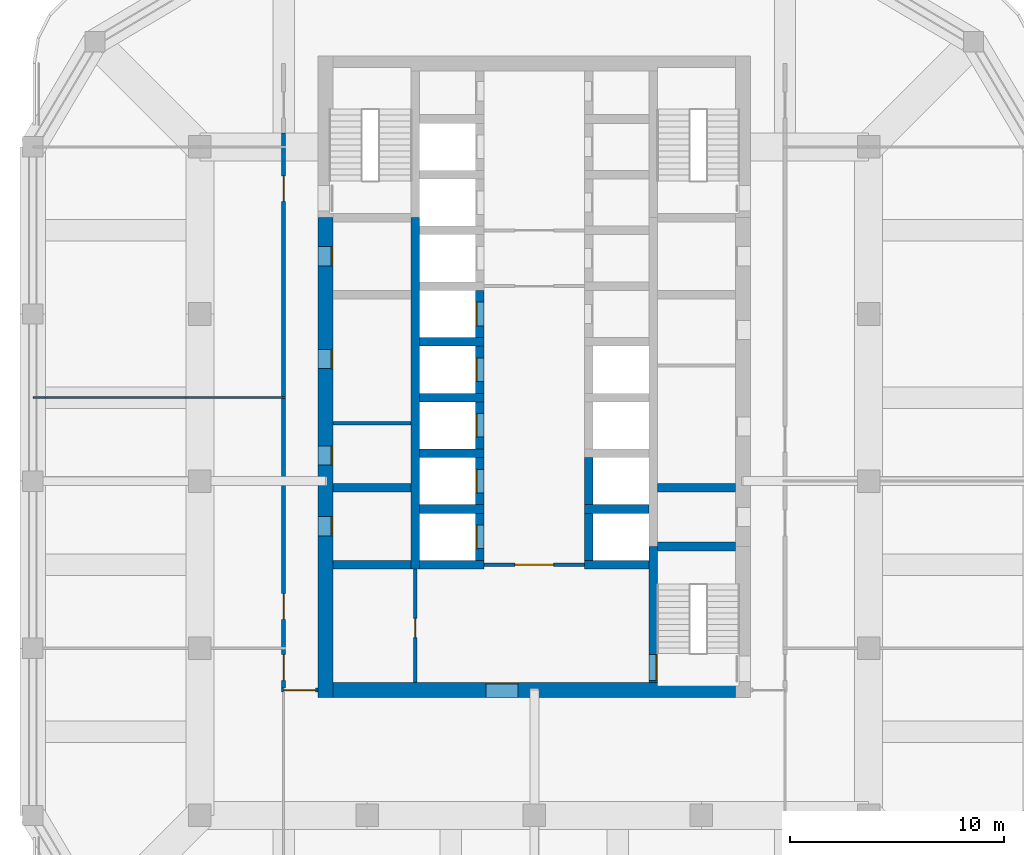
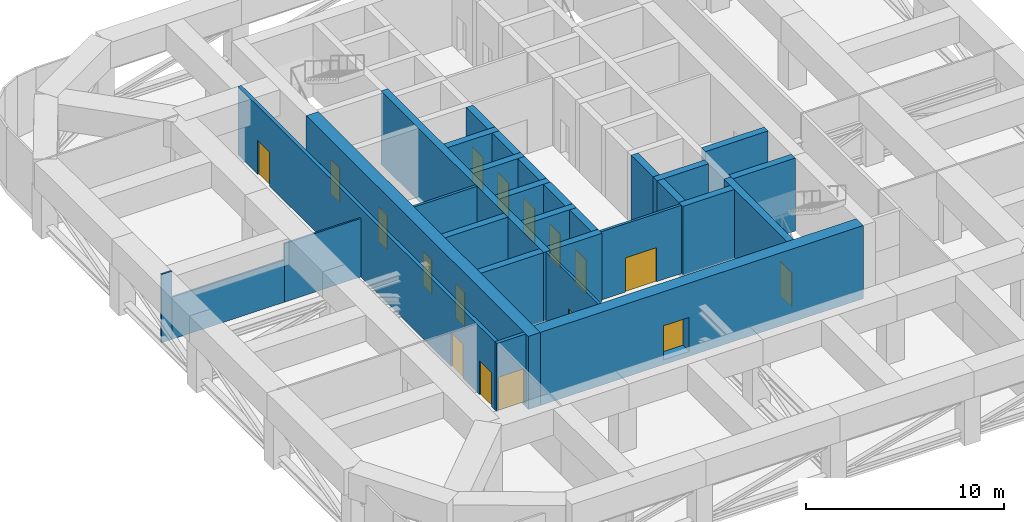
# One storey, part 3 of 9: 30 walls, 17 doors, 17 openings.
"""IFC4 building model written with IfcOpenShell, lengths in metres."""

import ifcopenshell
import ifcopenshell.guid

model = None  # the IFC model being written
_history = None  # IfcOwnerHistory: only IFC2X3 demands one
_inside = {}  # id of a spatial element -> (the spatial element, [elements in it])
_under = {}  # id of a project, library or spatial element -> (it, [spatial elements below it])
_declared = {}  # id of a project -> (the project, [libraries it declares])
_typed = {}  # id of a type object -> (the type object, [elements of that type])
_made_of = {}  # id of a material, layer set ... -> (it, [elements and type objects made of it])


def new_model(schema):
    """Start an empty IFC model of exactly this schema.

    Asked for "IFC4X3", IfcOpenShell would pick the latest addendum, in which some entities
    have other attributes; the version numbers below select the first issue.
    IFC2X3 requires an IfcOwnerHistory on every rooted entity: one is made here for all.
    """
    global model, _history
    if schema == "IFC4X3":
        model = ifcopenshell.file(schema_version=(4, 3, 0, 0))
    else:
        model = ifcopenshell.file(schema=schema)
    _inside.clear()
    _under.clear()
    _declared.clear()
    _typed.clear()
    _made_of.clear()
    _history = None
    if model.schema == "IFC2X3":
        org = make("IfcOrganization", Name="unknown")
        user = make(
            "IfcPersonAndOrganization",
            ThePerson=make("IfcPerson", FamilyName="unknown"),
            TheOrganization=org,
        )
        app = make(
            "IfcApplication",
            ApplicationDeveloper=org,
            Version="unknown",
            ApplicationFullName="unknown",
            ApplicationIdentifier="unknown",
        )
        _history = make(
            "IfcOwnerHistory",
            OwningUser=user,
            OwningApplication=app,
            ChangeAction="ADDED",
            CreationDate=0,
        )
    return model


def make(cls, **values):
    """One entity of the class cls with the attributes given. An attribute that is None is left unset."""
    return model.create_entity(
        cls, **{name: value for name, value in values.items() if value is not None}
    )


def rooted(cls, **values):
    """An entity with a GlobalId (a new one), such as an element, a storey or a relation."""
    return make(cls, GlobalId=ifcopenshell.guid.new(), OwnerHistory=_history, **values)


def si_unit(unit_type, name, prefix=None):
    """IfcSIUnit, for example si_unit("LENGTHUNIT", "METRE", prefix="MILLI")."""
    return make("IfcSIUnit", UnitType=unit_type, Prefix=prefix, Name=name)


def assignment(units):
    """IfcUnitAssignment: the units of a project."""
    return None if units is None else make("IfcUnitAssignment", Units=units)


def point(xyz):
    """IfcCartesianPoint."""
    return None if xyz is None else make("IfcCartesianPoint", Coordinates=xyz)


def direction(xyz):
    """IfcDirection."""
    return None if xyz is None else make("IfcDirection", DirectionRatios=xyz)


def frame(location, z_axis=None, x_axis=None):
    """IfcAxis2Placement3D, a coordinate frame: its origin and axes. An axis left out is left unset."""
    return make(
        "IfcAxis2Placement3D",
        Location=point(location),
        Axis=direction(z_axis),
        RefDirection=direction(x_axis),
    )


def frame_2d(location, x_axis=None):
    """IfcAxis2Placement2D, a coordinate frame in the plane: its origin and x axis."""
    return make(
        "IfcAxis2Placement2D", Location=point(location), RefDirection=direction(x_axis)
    )


def origin():
    """The frame at (0, 0, 0) with its axes left unset."""
    return frame((0.0, 0.0, 0.0))


def place(relative_to, where):
    """IfcLocalPlacement: puts the frame where relative to a parent placement (None: the world)."""
    return make(
        "IfcLocalPlacement", PlacementRelTo=relative_to, RelativePlacement=where
    )


def context(
    kind, dimensions, precision=None, world=None, true_north=None, identifier=None
):
    """IfcGeometricRepresentationContext, for example the 3D "Model" context."""
    return make(
        "IfcGeometricRepresentationContext",
        ContextIdentifier=identifier,
        ContextType=kind,
        CoordinateSpaceDimension=dimensions,
        Precision=precision,
        WorldCoordinateSystem=world,
        TrueNorth=true_north,
    )


def subcontext(parent, identifier, kind, view, scale=None):
    """IfcGeometricRepresentationSubContext, for example "Body" below "Model"."""
    return make(
        "IfcGeometricRepresentationSubContext",
        ContextIdentifier=identifier,
        ContextType=kind,
        ParentContext=parent,
        TargetScale=scale,
        TargetView=view,
    )


def project(units=None, contexts=None):
    """IfcProject with its units and contexts."""
    return rooted(
        "IfcProject",
        Name="project",
        RepresentationContexts=contexts,
        UnitsInContext=assignment(units),
    )


def spatial(cls, under=None, at=None, **own):
    """A site, building, storey or space (cls), placed at a placement, below another one or the project."""
    s = rooted(cls, ObjectPlacement=at, **own)
    if under is not None:
        _under.setdefault(under.id(), (under, []))[1].append(s)
    return s


def profile(cls, at=None, kind="AREA", **sizes):
    """A parametric profile (cls). Its sizes go by their IFC names, for example OverallWidth=200.0."""
    return make(cls, ProfileType=kind, Position=at, **sizes)


def rectangle(**sizes):
    """IfcRectangleProfileDef."""
    return profile("IfcRectangleProfileDef", **sizes)


def extrude(swept, where, along, depth):
    """IfcExtrudedAreaSolid: the profile swept, set in the frame where, extruded along a direction by depth."""
    return make(
        "IfcExtrudedAreaSolid",
        SweptArea=swept,
        Position=where,
        ExtrudedDirection=direction(along),
        Depth=depth,
    )


def shape(context_of_items, identifier, shape_type, items):
    """IfcShapeRepresentation: the items that make up one representation, for example the "Body"."""
    return make(
        "IfcShapeRepresentation",
        ContextOfItems=context_of_items,
        RepresentationIdentifier=identifier,
        RepresentationType=shape_type,
        Items=items,
    )


def material(Name=None, Category=None):
    """IfcMaterial."""
    return make("IfcMaterial", Name=Name, Category=Category)


def layer(
    of_material, thickness, ventilated=None, Name=None, Category=None, Priority=None
):
    """IfcMaterialLayer: one layer of a wall or slab, of a material (None: an air gap)."""
    return make(
        "IfcMaterialLayer",
        Material=of_material,
        LayerThickness=thickness,
        IsVentilated=ventilated,
        Name=Name,
        Category=Category,
        Priority=Priority,
    )


def layer_set(layers, Name=None):
    """IfcMaterialLayerSet."""
    return make("IfcMaterialLayerSet", MaterialLayers=layers, LayerSetName=Name)


def made_of(thing, what):
    """Note that an element or type object is made of a material, layer set ...; save() writes the relation."""
    if what is not None:
        _made_of.setdefault(what.id(), (what, []))[1].append(thing)
    return thing


def type_object(cls, material=None, **own):
    """A type object (cls), such as IfcWallType, which elements share."""
    return made_of(rooted(cls, **own), material)


def element(
    cls,
    number,
    at=None,
    inside=None,
    cuts=None,
    type_object=None,
    material=None,
    context=None,
    identifier="Body",
    shape_type=None,
    held_by="IfcProductDefinitionShape",
    body=None,
    shapes=None,
    **own,
):
    """One element of the class cls, such as IfcWall. Its Tag is "e" and its number.

    at: its placement. inside: the storey or other place that contains it. cuts: it is an
    opening in that element (IfcRelVoidsElement). A single representation is given by context,
    identifier, shape_type and body (its items); several are given by shapes. held_by: the class
    of the entity that holds the representations. save() writes the other relations.
    """
    e = rooted(cls, Tag="e%d" % number, ObjectPlacement=at, **own)
    if body is not None:
        shapes = [shape(context, identifier, shape_type, body)]
    if shapes is not None:
        e.Representation = make(held_by, Representations=shapes)
    if inside is not None:
        _inside.setdefault(inside.id(), (inside, []))[1].append(e)
    if cuts is not None:
        rooted(
            "IfcRelVoidsElement", RelatingBuildingElement=cuts, RelatedOpeningElement=e
        )
    if type_object is not None:
        _typed.setdefault(type_object.id(), (type_object, []))[1].append(e)
    return made_of(e, material)


def fill(opening, filler):
    """IfcRelFillsElement: the door or window that sits in an opening."""
    return rooted(
        "IfcRelFillsElement",
        RelatingOpeningElement=opening,
        RelatedBuildingElement=filler,
    )


def aggregate(whole, parts):
    """IfcRelAggregates: a whole, such as a stair, and the parts it consists of."""
    return rooted("IfcRelAggregates", RelatingObject=whole, RelatedObjects=parts)


def save(model, path):
    """Write the relations noted so far, then the file.

    IfcRelAggregates (storeys below a building ...), IfcRelContainedInSpatialStructure (elements
    in a storey), IfcRelDefinesByType, IfcRelAssociatesMaterial and IfcRelDeclares: one each for
    every whole, place, type object, material and project.
    """
    for whole, parts in _under.values():
        aggregate(whole, parts)
    for where, things in _inside.values():
        rooted(
            "IfcRelContainedInSpatialStructure",
            RelatedElements=things,
            RelatingStructure=where,
        )
    for kind, things in _typed.values():
        rooted("IfcRelDefinesByType", RelatedObjects=things, RelatingType=kind)
    for what, things in _made_of.values():
        rooted("IfcRelAssociatesMaterial", RelatedObjects=things, RelatingMaterial=what)
    for by, libraries in _declared.values():
        rooted("IfcRelDeclares", RelatingContext=by, RelatedDefinitions=libraries)
    model.write(path)


model = new_model("IFC4")

# Units and contexts
model_context = context("Model", 3, precision=1e-05, world=origin(), true_north=direction((0.0, 1.0)))
body_context = subcontext(model_context, "Body", "Model", "MODEL_VIEW")
ifc_project = project(units=[si_unit("LENGTHUNIT", "METRE"), si_unit("AREAUNIT", "SQUARE_METRE"), si_unit("VOLUMEUNIT", "CUBIC_METRE"), si_unit("PLANEANGLEUNIT", "RADIAN"), si_unit("MASSUNIT", "GRAM", prefix="KILO")], contexts=[model_context])

# Site, building, storey
site_placement = place(None, origin())
site = spatial("IfcSite", under=ifc_project, at=site_placement, CompositionType="ELEMENT")
building_placement = place(site_placement, origin())
building = spatial("IfcBuilding", under=site, at=building_placement, Name="Ludao Terraces", CompositionType="ELEMENT")
storey_placement = place(building_placement, frame((0.0, 0.0, 95.39990234375)))
storey = spatial("IfcBuildingStorey", under=building, at=storey_placement, Name="L26", CompositionType="ELEMENT", Elevation=95.39990234375)

# Wall, openings, doors
ifc_material_1 = material(Name="Concrete C70", Category="concrete")
ifc_layer_1 = layer(ifc_material_1, 0.699951171875)
ifc_layer_set_1 = layer_set([ifc_layer_1], Name="Core wall 700 C70")
wall_type_1 = type_object("IfcWallType", Name="Core wall 700 C70", PredefinedType="SOLIDWALL", material=ifc_layer_set_1)
wall_1_placement = place(storey_placement, frame((75.25, 54.89990234375, -0.2998046875), z_axis=(0.0, 0.0, 1.0), x_axis=(0.0, 1.0, 0.0)))
wall_1 = element("IfcWall", 1, at=wall_1_placement, inside=storey, type_object=wall_type_1, Name="Core wall L26 outer-W", PredefinedType="SOLIDWALL", context=body_context, shape_type="SweptSolid", body=[
    extrude(rectangle(XDim=22.400146484375, YDim=0.699951171875, at=frame_2d((11.2001953125, 0.0))), origin(), (0.0, 0.0, 1.0), 4.5),
])
opening_1_placement = place(wall_1_placement, frame((7.550048828125, 0.0, 0.300048828125)))
opening_1 = element("IfcOpeningElement", 2, at=opening_1_placement, cuts=wall_1, Name="Opening L26-012", PredefinedType="OPENING", context=body_context, shape_type="SweptSolid", body=[
    extrude(rectangle(XDim=0.89990234375, YDim=2.10009765625, at=frame_2d((0.449951171875, 1.050048828125))), frame((0.0, 0.35986328125, 0.0), z_axis=(0.0, -1.0, 0.0), x_axis=(1.0, 0.0, 0.0)), (0.0, 0.0, 1.0), 0.719970703125),
])
opening_2_placement = place(wall_1_placement, frame((10.85009765625, 0.0, 0.300048828125)))
opening_2 = element("IfcOpeningElement", 3, at=opening_2_placement, cuts=wall_1, Name="Opening L26-016", PredefinedType="OPENING", context=body_context, shape_type="SweptSolid", body=[
    extrude(rectangle(XDim=0.89990234375, YDim=2.10009765625, at=frame_2d((0.449951171875, 1.050048828125))), frame((0.0, 0.35986328125, 0.0), z_axis=(0.0, -1.0, 0.0), x_axis=(1.0, 0.0, 0.0)), (0.0, 0.0, 1.0), 0.719970703125),
])
opening_3_placement = place(wall_1_placement, frame((15.35009765625, 0.0, 0.300048828125)))
opening_3 = element("IfcOpeningElement", 4, at=opening_3_placement, cuts=wall_1, Name="Opening L26-021", PredefinedType="OPENING", context=body_context, shape_type="SweptSolid", body=[
    extrude(rectangle(XDim=0.89990234375, YDim=2.10009765625, at=frame_2d((0.449951171875, 1.050048828125))), frame((0.0, 0.35986328125, 0.0), z_axis=(0.0, -1.0, 0.0), x_axis=(1.0, 0.0, 0.0)), (0.0, 0.0, 1.0), 0.719970703125),
])
opening_4_placement = place(wall_1_placement, frame((20.14990234375, 0.0, 0.300048828125)))
opening_4 = element("IfcOpeningElement", 5, at=opening_4_placement, cuts=wall_1, Name="Opening L26-028", PredefinedType="OPENING", context=body_context, shape_type="SweptSolid", body=[
    extrude(rectangle(XDim=0.89990234375, YDim=2.10009765625, at=frame_2d((0.449951171875, 1.050048828125))), frame((0.0, 0.35986328125, 0.0), z_axis=(0.0, -1.0, 0.0), x_axis=(1.0, 0.0, 0.0)), (0.0, 0.0, 1.0), 0.719970703125),
])
ifc_material_2 = material(Name="Steel Q235", Category="steel")
door_type_1 = type_object("IfcDoorType", Name="INT Riser door 900", OperationType="SINGLE_SWING_LEFT", PredefinedType="DOOR", material=ifc_material_2)
door_1_placement = place(opening_1_placement, origin())
door_1 = element("IfcDoor", 6, at=door_1_placement, inside=storey, type_object=door_type_1, Name="DOOR 012", OperationType="SINGLE_SWING_LEFT", OverallHeight=2.10009765625, OverallWidth=0.89990234375, PredefinedType="DOOR", context=body_context, shape_type="SweptSolid", body=[
    extrude(rectangle(XDim=0.89990234375, YDim=2.10009765625, at=frame_2d((0.449951171875, 1.050048828125))), frame((0.0, -0.28515625, 0.0), z_axis=(0.0, -1.0, 0.0), x_axis=(1.0, 0.0, 0.0)), (0.0, 0.0, 1.0), 0.050048828125),
])
fill(opening_1, door_1)
door_2_placement = place(opening_4_placement, origin())
door_2 = element("IfcDoor", 7, at=door_2_placement, inside=storey, type_object=door_type_1, Name="DOOR 028", OperationType="SINGLE_SWING_RIGHT", OverallHeight=2.10009765625, OverallWidth=0.89990234375, PredefinedType="DOOR", context=body_context, shape_type="SweptSolid", body=[
    extrude(rectangle(XDim=0.89990234375, YDim=2.10009765625, at=frame_2d((0.449951171875, 1.050048828125))), frame((0.0, -0.28515625, 0.0), z_axis=(0.0, -1.0, 0.0), x_axis=(1.0, 0.0, 0.0)), (0.0, 0.0, 1.0), 0.050048828125),
])
fill(opening_4, door_2)
ifc_material_3 = material(Name="Timber door leaf", Category="wood")
door_type_2 = type_object("IfcDoorType", Name="INT Room door 900", OperationType="SINGLE_SWING_LEFT", PredefinedType="DOOR", material=ifc_material_3)
door_3_placement = place(opening_2_placement, origin())
door_3 = element("IfcDoor", 8, at=door_3_placement, inside=storey, type_object=door_type_2, Name="DOOR 016", OperationType="SINGLE_SWING_RIGHT", OverallHeight=2.10009765625, OverallWidth=0.89990234375, PredefinedType="DOOR", context=body_context, shape_type="SweptSolid", body=[
    extrude(rectangle(XDim=0.89990234375, YDim=2.10009765625, at=frame_2d((0.449951171875, 1.050048828125))), frame((0.0, -0.28515625, 0.0), z_axis=(0.0, -1.0, 0.0), x_axis=(1.0, 0.0, 0.0)), (0.0, 0.0, 1.0), 0.050048828125),
])
fill(opening_2, door_3)
door_4_placement = place(opening_3_placement, origin())
door_4 = element("IfcDoor", 9, at=door_4_placement, inside=storey, type_object=door_type_2, Name="DOOR 021", OperationType="SINGLE_SWING_LEFT", OverallHeight=2.10009765625, OverallWidth=0.89990234375, PredefinedType="DOOR", context=body_context, shape_type="SweptSolid", body=[
    extrude(rectangle(XDim=0.89990234375, YDim=2.10009765625, at=frame_2d((0.449951171875, 1.050048828125))), frame((0.0, -0.28515625, 0.0), z_axis=(0.0, -1.0, 0.0), x_axis=(1.0, 0.0, 0.0)), (0.0, 0.0, 1.0), 0.050048828125),
])
fill(opening_3, door_4)

# Wall, opening, door
wall_2_placement = place(storey_placement, frame((75.60009765625, 55.25, -0.2998046875), z_axis=(0.0, 0.0, 1.0), x_axis=(1.0, 0.0, 0.0)))
wall_2 = element("IfcWall", 10, at=wall_2_placement, inside=storey, type_object=wall_type_1, Name="Core wall L26 outer-S", PredefinedType="SOLIDWALL", context=body_context, shape_type="SweptSolid", body=[
    extrude(rectangle(XDim=18.7998046875, YDim=0.699951171875, at=frame_2d((9.39990234375, 0.0))), origin(), (0.0, 0.0, 1.0), 4.5),
])
opening_5_placement = place(wall_2_placement, frame((7.14990234375, 0.0, 0.300048828125)))
opening_5 = element("IfcOpeningElement", 11, at=opening_5_placement, cuts=wall_2, Name="Opening L26-002", PredefinedType="OPENING", context=body_context, shape_type="SweptSolid", body=[
    extrude(rectangle(XDim=1.5, YDim=2.10009765625, at=frame_2d((0.75, 1.050048828125))), frame((0.0, 0.35986328125, 0.0), z_axis=(0.0, -1.0, 0.0), x_axis=(1.0, 0.0, 0.0)), (0.0, 0.0, 1.0), 0.719970703125),
])
door_type_3 = type_object("IfcDoorType", Name="INT Lobby door 1500", OperationType="DOUBLE_DOOR_SINGLE_SWING", PredefinedType="DOOR", material=ifc_material_2)
door_5_placement = place(opening_5_placement, origin())
door_5 = element("IfcDoor", 12, at=door_5_placement, inside=storey, type_object=door_type_3, Name="DOOR 002", OperationType="DOUBLE_DOOR_SINGLE_SWING", OverallHeight=2.10009765625, OverallWidth=1.5, PredefinedType="DOOR", context=body_context, shape_type="SweptSolid", body=[
    extrude(rectangle(XDim=1.5, YDim=2.10009765625, at=frame_2d((0.75, 1.050048828125))), frame((0.0, 0.3349609375, 0.0), z_axis=(0.0, -1.0, 0.0), x_axis=(1.0, 0.0, 0.0)), (0.0, 0.0, 1.0), 0.050048828125),
])
fill(opening_5, door_5)

ifc_material_4 = material(Name="Fire-rated gypsum plasterboard", Category="gypsum")
ifc_layer_2 = layer(ifc_material_4, 0.012451171875, Category="gypsum")
ifc_material_5 = material(Name="Mineral wool")
ifc_layer_3 = layer(ifc_material_5, 0.10009765625, Name="insulation")
ifc_layer_4 = layer(ifc_material_2, 0.02490234375, Name="stud")
ifc_layer_5 = layer(ifc_material_4, 0.012451171875, Category="gypsum")
ifc_layer_set_2 = layer_set([ifc_layer_2, ifc_layer_3, ifc_layer_4, ifc_layer_5], Name="INT Core partition 150")
wall_type_2 = type_object("IfcWallType", Name="INT Core partition 150", PredefinedType="PARTITIONING", material=ifc_layer_set_2)
wall_3_placement = place(storey_placement, frame((82.650146484375, 61.10009765625, 0.0), z_axis=(0.0, 0.0, 1.0), x_axis=(1.0, 0.0, 0.0)))
wall_3 = element("IfcWall", 13, at=wall_3_placement, inside=storey, type_object=wall_type_2, Name="PW-L26-PW004", PredefinedType="PARTITIONING", context=body_context, shape_type="SweptSolid", body=[
    extrude(rectangle(XDim=4.699951171875, YDim=0.14990234375, at=frame_2d((2.35009765625, 0.0))), origin(), (0.0, 0.0, 1.0), 4.2001953125),
])
opening_6_placement = place(wall_3_placement, frame((1.449951171875, 0.0, 0.0)))
opening_6 = element("IfcOpeningElement", 14, at=opening_6_placement, cuts=wall_3, Name="Opening L26-010", PredefinedType="OPENING", context=body_context, shape_type="SweptSolid", body=[
    extrude(rectangle(XDim=1.800048828125, YDim=2.10009765625, at=frame_2d((0.89990234375, 1.050048828125))), frame((0.0, 0.0849609375, 0.0), z_axis=(0.0, -1.0, 0.0), x_axis=(1.0, 0.0, 0.0)), (0.0, 0.0, 1.0), 0.169921875),
])
door_type_4 = type_object("IfcDoorType", Name="INT Fire lobby door 1800", OperationType="DOUBLE_DOOR_SINGLE_SWING", PredefinedType="DOOR", material=ifc_material_2)
door_6_placement = place(opening_6_placement, origin())
door_6 = element("IfcDoor", 15, at=door_6_placement, inside=storey, type_object=door_type_4, Name="DOOR 010", OperationType="DOUBLE_DOOR_SINGLE_SWING", OverallHeight=2.10009765625, OverallWidth=1.800048828125, PredefinedType="DOOR", context=body_context, shape_type="SweptSolid", body=[
    extrude(rectangle(XDim=1.800048828125, YDim=2.10009765625, at=frame_2d((0.89990234375, 1.050048828125))), frame((0.0, 0.02490234375, 0.0), z_axis=(0.0, -1.0, 0.0), x_axis=(1.0, 0.0, 0.0)), (0.0, 0.0, 1.0), 0.050048828125),
])
fill(opening_6, door_6)

# Wall
wall_4_placement = place(storey_placement, frame((75.60009765625, 67.699951171875, 0.0), z_axis=(0.0, 0.0, 1.0), x_axis=(1.0, 0.0, 0.0)))
element("IfcWall", 16, at=wall_4_placement, inside=storey, type_object=wall_type_2, Name="PW-L26-PW006", PredefinedType="PARTITIONING", context=body_context, shape_type="SweptSolid", body=[
    extrude(rectangle(XDim=3.64990234375, YDim=0.14990234375, at=frame_2d((1.824951171875, 0.0))), origin(), (0.0, 0.0, 1.0), 4.2001953125),
])

# Wall, opening, door
wall_5_placement = place(storey_placement, frame((79.449951171875, 55.60009765625, 0.0), z_axis=(0.0, 0.0, 1.0), x_axis=(0.0, 1.0, 0.0)))
wall_5 = element("IfcWall", 17, at=wall_5_placement, inside=storey, type_object=wall_type_2, Name="PW-L26-PW015", PredefinedType="PARTITIONING", context=body_context, shape_type="SweptSolid", body=[
    extrude(rectangle(XDim=5.300048828125, YDim=0.14990234375, at=frame_2d((2.64990234375, 0.0))), origin(), (0.0, 0.0, 1.0), 4.2001953125),
])
opening_7_placement = place(wall_5_placement, frame((2.10009765625, 0.0, 0.0)))
opening_7 = element("IfcOpeningElement", 18, at=opening_7_placement, cuts=wall_5, Name="Opening L26-008", PredefinedType="OPENING", context=body_context, shape_type="SweptSolid", body=[
    extrude(rectangle(XDim=0.89990234375, YDim=2.10009765625, at=frame_2d((0.449951171875, 1.050048828125))), frame((0.0, 0.0849609375, 0.0), z_axis=(0.0, -1.0, 0.0), x_axis=(1.0, 0.0, 0.0)), (0.0, 0.0, 1.0), 0.169921875),
])
door_7_placement = place(opening_7_placement, origin())
door_7 = element("IfcDoor", 19, at=door_7_placement, inside=storey, type_object=door_type_2, Name="DOOR 008", OperationType="SINGLE_SWING_LEFT", OverallHeight=2.10009765625, OverallWidth=0.89990234375, PredefinedType="DOOR", context=body_context, shape_type="SweptSolid", body=[
    extrude(rectangle(XDim=0.89990234375, YDim=2.10009765625, at=frame_2d((0.449951171875, 1.050048828125))), frame((0.0, 0.02490234375, 0.0), z_axis=(0.0, -1.0, 0.0), x_axis=(1.0, 0.0, 0.0)), (0.0, 0.0, 1.0), 0.050048828125),
])
fill(opening_7, door_7)

ifc_material_6 = material(Name="Autoclaved aerated concrete block B06 A3.5", Category="concrete")
ifc_layer_6 = layer(ifc_material_6, 0.199951171875)
ifc_layer_set_3 = layer_set([ifc_layer_6], Name="INT Entrance wall 200")
wall_type_3 = type_object("IfcWallType", Name="INT Entrance wall 200", PredefinedType="PARTITIONING", material=ifc_layer_set_3)
wall_6_placement = place(storey_placement, frame((73.2001953125, 55.25, 0.0), z_axis=(0.0, 0.0, 1.0), x_axis=(1.0, 0.0, 0.0)))
wall_6 = element("IfcWall", 20, at=wall_6_placement, inside=storey, type_object=wall_type_3, Name="PW-L26-PW000", PredefinedType="PARTITIONING", context=body_context, shape_type="SweptSolid", body=[
    extrude(rectangle(XDim=1.699951171875, YDim=0.199951171875, at=frame_2d((0.85009765625, 0.0))), origin(), (0.0, 0.0, 1.0), 4.2001953125),
])
opening_8_placement = place(wall_6_placement, frame((0.10009765625, 0.0, 0.0)))
opening_8 = element("IfcOpeningElement", 21, at=opening_8_placement, cuts=wall_6, Name="Opening L26-001", PredefinedType="OPENING", context=body_context, shape_type="SweptSolid", body=[
    extrude(rectangle(XDim=1.5, YDim=2.10009765625, at=frame_2d((0.75, 1.050048828125))), frame((0.0, 0.10986328125, 0.0), z_axis=(0.0, -1.0, 0.0), x_axis=(1.0, 0.0, 0.0)), (0.0, 0.0, 1.0), 0.219970703125),
])
door_8_placement = place(opening_8_placement, origin())
door_8 = element("IfcDoor", 22, at=door_8_placement, inside=storey, type_object=door_type_3, Name="DOOR 001", OperationType="DOUBLE_DOOR_SINGLE_SWING", OverallHeight=2.10009765625, OverallWidth=1.5, PredefinedType="DOOR", context=body_context, shape_type="SweptSolid", body=[
    extrude(rectangle(XDim=1.5, YDim=2.10009765625, at=frame_2d((0.75, 1.050048828125))), frame((0.0, 0.02490234375, 0.0), z_axis=(0.0, -1.0, 0.0), x_axis=(1.0, 0.0, 0.0)), (0.0, 0.0, 1.0), 0.050048828125),
])
fill(opening_8, door_8)

# Wall, openings, doors
wall_7_placement = place(storey_placement, frame((73.300048828125, 55.35009765625, 0.0), z_axis=(0.0, 0.0, 1.0), x_axis=(0.0, 1.0, 0.0)))
wall_7 = element("IfcWall", 23, at=wall_7_placement, inside=storey, type_object=wall_type_3, Name="PW-L26-PW014", PredefinedType="PARTITIONING", context=body_context, shape_type="SweptSolid", body=[
    extrude(rectangle(XDim=25.89990234375, YDim=0.199951171875, at=frame_2d((12.949951171875, 0.0))), origin(), (0.0, 0.0, 1.0), 4.2001953125),
])
opening_9_placement = place(wall_7_placement, frame((0.35009765625, 0.0, 0.0)))
opening_9 = element("IfcOpeningElement", 24, at=opening_9_placement, cuts=wall_7, Name="Opening L26-006", PredefinedType="OPENING", context=body_context, shape_type="SweptSolid", body=[
    extrude(rectangle(XDim=1.199951171875, YDim=2.10009765625, at=frame_2d((0.60009765625, 1.050048828125))), frame((0.0, 0.10986328125, 0.0), z_axis=(0.0, -1.0, 0.0), x_axis=(1.0, 0.0, 0.0)), (0.0, 0.0, 1.0), 0.219970703125),
])
opening_10_placement = place(wall_7_placement, frame((3.199951171875, 0.0, 0.0)))
opening_10 = element("IfcOpeningElement", 25, at=opening_10_placement, cuts=wall_7, Name="Opening L26-009", PredefinedType="OPENING", context=body_context, shape_type="SweptSolid", body=[
    extrude(rectangle(XDim=1.199951171875, YDim=2.10009765625, at=frame_2d((0.60009765625, 1.050048828125))), frame((0.0, 0.10986328125, 0.0), z_axis=(0.0, -1.0, 0.0), x_axis=(1.0, 0.0, 0.0)), (0.0, 0.0, 1.0), 0.219970703125),
])
opening_11_placement = place(wall_7_placement, frame((22.699951171875, 0.0, 0.0)))
opening_11 = element("IfcOpeningElement", 26, at=opening_11_placement, cuts=wall_7, Name="Opening L26-035", PredefinedType="OPENING", context=body_context, shape_type="SweptSolid", body=[
    extrude(rectangle(XDim=1.199951171875, YDim=2.10009765625, at=frame_2d((0.60009765625, 1.050048828125))), frame((0.0, 0.10986328125, 0.0), z_axis=(0.0, -1.0, 0.0), x_axis=(1.0, 0.0, 0.0)), (0.0, 0.0, 1.0), 0.219970703125),
])
door_type_5 = type_object("IfcDoorType", Name="INT Double door 1200", OperationType="DOUBLE_DOOR_SINGLE_SWING", PredefinedType="DOOR", material=ifc_material_3)
door_9_placement = place(opening_9_placement, origin())
door_9 = element("IfcDoor", 27, at=door_9_placement, inside=storey, type_object=door_type_5, Name="DOOR 006", OperationType="DOUBLE_DOOR_SINGLE_SWING", OverallHeight=2.10009765625, OverallWidth=1.199951171875, PredefinedType="DOOR", context=body_context, shape_type="SweptSolid", body=[
    extrude(rectangle(XDim=1.199951171875, YDim=2.10009765625, at=frame_2d((0.60009765625, 1.050048828125))), frame((0.0, 0.02490234375, 0.0), z_axis=(0.0, -1.0, 0.0), x_axis=(1.0, 0.0, 0.0)), (0.0, 0.0, 1.0), 0.050048828125),
])
fill(opening_9, door_9)
door_10_placement = place(opening_10_placement, origin())
door_10 = element("IfcDoor", 28, at=door_10_placement, inside=storey, type_object=door_type_5, Name="DOOR 009", OperationType="DOUBLE_DOOR_SINGLE_SWING", OverallHeight=2.10009765625, OverallWidth=1.199951171875, PredefinedType="DOOR", context=body_context, shape_type="SweptSolid", body=[
    extrude(rectangle(XDim=1.199951171875, YDim=2.10009765625, at=frame_2d((0.60009765625, 1.050048828125))), frame((0.0, 0.02490234375, 0.0), z_axis=(0.0, -1.0, 0.0), x_axis=(1.0, 0.0, 0.0)), (0.0, 0.0, 1.0), 0.050048828125),
])
fill(opening_10, door_10)
door_11_placement = place(opening_11_placement, origin())
door_11 = element("IfcDoor", 29, at=door_11_placement, inside=storey, type_object=door_type_5, Name="DOOR 035", OperationType="DOUBLE_DOOR_SINGLE_SWING", OverallHeight=2.10009765625, OverallWidth=1.199951171875, PredefinedType="DOOR", context=body_context, shape_type="SweptSolid", body=[
    extrude(rectangle(XDim=1.199951171875, YDim=2.10009765625, at=frame_2d((0.60009765625, 1.050048828125))), frame((0.0, 0.02490234375, 0.0), z_axis=(0.0, -1.0, 0.0), x_axis=(1.0, 0.0, 0.0)), (0.0, 0.0, 1.0), 0.050048828125),
])
fill(opening_11, door_11)

# Walls
ifc_material_7 = material(Name="Gypsum plasterboard", Category="gypsum")
ifc_layer_7 = layer(ifc_material_7, 0.012451171875, Category="gypsum")
ifc_layer_8 = layer(ifc_material_5, 0.06005859375, Name="insulation")
ifc_layer_9 = layer(ifc_material_2, 0.014892578125, Name="stud")
ifc_layer_10 = layer(ifc_material_7, 0.012451171875, Category="gypsum")
ifc_layer_set_4 = layer_set([ifc_layer_7, ifc_layer_8, ifc_layer_9, ifc_layer_10], Name="INT Partition 100")
wall_type_4 = type_object("IfcWallType", Name="INT Partition 100", PredefinedType="PARTITIONING", material=ifc_layer_set_4)
wall_8_placement = place(storey_placement, frame((61.60009765625, 68.89990234375, 0.0), z_axis=(0.0, 0.0, 1.0), x_axis=(1.0, 0.0, 0.0)))
element("IfcWall", 30, at=wall_8_placement, inside=storey, type_object=wall_type_4, Name="PW-L26-PW007", PredefinedType="PARTITIONING", context=body_context, shape_type="SweptSolid", body=[
    extrude(rectangle(XDim=0.599853515625, YDim=0.10009765625, at=frame_2d((0.2998046875, 0.0))), origin(), (0.0, 0.0, 1.0), 4.2001953125),
])
wall_9_placement = place(storey_placement, frame((62.199951171875, 68.89990234375, 0.0), z_axis=(0.0, 0.0, 1.0), x_axis=(1.0, 0.0, 0.0)))
element("IfcWall", 31, at=wall_9_placement, inside=storey, type_object=wall_type_4, Name="PW-L26-PW007-2", PredefinedType="PARTITIONING", context=body_context, shape_type="SweptSolid", body=[
    extrude(rectangle(XDim=6.550048828125, YDim=0.10009765625, at=frame_2d((3.27490234375, 0.0))), origin(), (0.0, 0.0, 1.0), 2.60009765625),
])
wall_10_placement = place(storey_placement, frame((68.75, 68.89990234375, 0.0), z_axis=(0.0, 0.0, 1.0), x_axis=(1.0, 0.0, 0.0)))
element("IfcWall", 32, at=wall_10_placement, inside=storey, type_object=wall_type_4, Name="PW-L26-PW007-3", PredefinedType="PARTITIONING", context=body_context, shape_type="SweptSolid", body=[
    extrude(rectangle(XDim=4.650146484375, YDim=0.10009765625, at=frame_2d((2.3251953125, 0.0))), origin(), (0.0, 0.0, 1.0), 3.60009765625),
])
ifc_material_8 = material(Name="Concrete C60", Category="concrete")
ifc_layer_11 = layer(ifc_material_8, 0.39990234375)
ifc_layer_set_5 = layer_set([ifc_layer_11], Name="Shaft wall 400 C60")
wall_type_5 = type_object("IfcWallType", Name="Shaft wall 400 C60", PredefinedType="SOLIDWALL", material=ifc_layer_set_5)
wall_11_placement = place(storey_placement, frame((79.449951171875, 60.89990234375, -0.2998046875), z_axis=(0.0, 0.0, 1.0), x_axis=(0.0, 1.0, 0.0)))
element("IfcWall", 33, at=wall_11_placement, inside=storey, type_object=wall_type_5, Name="Core wall L26 back-W", PredefinedType="SOLIDWALL", context=body_context, shape_type="SweptSolid", body=[
    extrude(rectangle(XDim=16.400146484375, YDim=0.39990234375, at=frame_2d((8.2001953125, 0.0))), origin(), (0.0, 0.0, 1.0), 4.5),
])

# Wall, opening, door
wall_12_placement = place(storey_placement, frame((90.550048828125, 55.60009765625, -0.2998046875), z_axis=(0.0, 0.0, 1.0), x_axis=(0.0, 1.0, 0.0)))
wall_12 = element("IfcWall", 34, at=wall_12_placement, inside=storey, type_object=wall_type_5, Name="Core wall L26 back-E-S3", PredefinedType="SOLIDWALL", context=body_context, shape_type="SweptSolid", body=[
    extrude(rectangle(XDim=6.349853515625, YDim=0.39990234375, at=frame_2d((3.1748046875, 0.0))), origin(), (0.0, 0.0, 1.0), 4.5),
])
opening_12_placement = place(wall_12_placement, frame((0.10009765625, 0.0, 0.300048828125)))
opening_12 = element("IfcOpeningElement", 35, at=opening_12_placement, cuts=wall_12, Name="Opening L26-004", PredefinedType="OPENING", context=body_context, shape_type="SweptSolid", body=[
    extrude(rectangle(XDim=1.199951171875, YDim=2.10009765625, at=frame_2d((0.60009765625, 1.050048828125))), frame((0.0, 0.2099609375, 0.0), z_axis=(0.0, -1.0, 0.0), x_axis=(1.0, 0.0, 0.0)), (0.0, 0.0, 1.0), 0.419921875),
])
door_type_6 = type_object("IfcDoorType", Name="INT Stair door 1200", OperationType="DOUBLE_DOOR_SINGLE_SWING", PredefinedType="DOOR", material=ifc_material_2)
door_12_placement = place(opening_12_placement, origin())
door_12 = element("IfcDoor", 36, at=door_12_placement, inside=storey, type_object=door_type_6, Name="DOOR 004", OperationType="DOUBLE_DOOR_SINGLE_SWING", OverallHeight=2.10009765625, OverallWidth=1.199951171875, PredefinedType="DOOR", context=body_context, shape_type="SweptSolid", body=[
    extrude(rectangle(XDim=1.199951171875, YDim=2.10009765625, at=frame_2d((0.60009765625, 1.050048828125))), frame((0.0, -0.134765625, 0.0), z_axis=(0.0, -1.0, 0.0), x_axis=(1.0, 0.0, 0.0)), (0.0, 0.0, 1.0), 0.050048828125),
])
fill(opening_12, door_12)

# Wall
wall_13_placement = place(storey_placement, frame((79.64990234375, 61.10009765625, -0.2998046875), z_axis=(0.0, 0.0, 1.0), x_axis=(1.0, 0.0, 0.0)))
element("IfcWall", 37, at=wall_13_placement, inside=storey, type_object=wall_type_5, Name="Core wall L26 div-W1", PredefinedType="SOLIDWALL", context=body_context, shape_type="SweptSolid", body=[
    extrude(rectangle(XDim=3.0, YDim=0.39990234375, at=frame_2d((1.5, 0.0))), origin(), (0.0, 0.0, 1.0), 4.5),
])

# Wall, opening, door
wall_14_placement = place(storey_placement, frame((82.449951171875, 61.300048828125, -0.2998046875), z_axis=(0.0, 0.0, 1.0), x_axis=(0.0, 1.0, 0.0)))
wall_14 = element("IfcWall", 38, at=wall_14_placement, inside=storey, type_object=wall_type_5, Name="Core wall L26 front-W1", PredefinedType="SOLIDWALL", context=body_context, shape_type="SweptSolid", body=[
    extrude(rectangle(XDim=2.199951171875, YDim=0.39990234375, at=frame_2d((1.10009765625, 0.0))), origin(), (0.0, 0.0, 1.0), 4.5),
])
opening_13_placement = place(wall_14_placement, frame((0.550048828125, 0.0, 0.300048828125)))
opening_13 = element("IfcOpeningElement", 39, at=opening_13_placement, cuts=wall_14, Name="Opening LD-LA1", PredefinedType="OPENING", context=body_context, shape_type="SweptSolid", body=[
    extrude(rectangle(XDim=1.10009765625, YDim=2.10009765625, at=frame_2d((0.550048828125, 1.050048828125))), frame((0.0, 0.2099609375, 0.0), z_axis=(0.0, -1.0, 0.0), x_axis=(1.0, 0.0, 0.0)), (0.0, 0.0, 1.0), 0.419921875),
])
ifc_material_9 = material(Name="Stainless steel 304", Category="steel")
door_type_7 = type_object("IfcDoorType", Name="INT Lift landing door 1100", OperationType="SLIDING_TO_LEFT", PredefinedType="DOOR", material=ifc_material_9)
door_13_placement = place(opening_13_placement, origin())
door_13 = element("IfcDoor", 40, at=door_13_placement, inside=storey, type_object=door_type_7, Name="LANDING DOOR LA1 L26", OperationType="SLIDING_TO_RIGHT", OverallHeight=2.10009765625, OverallWidth=1.10009765625, PredefinedType="DOOR", context=body_context, shape_type="SweptSolid", body=[
    extrude(rectangle(XDim=1.10009765625, YDim=2.10009765625, at=frame_2d((0.550048828125, 1.050048828125))), frame((0.0, 0.18505859375, 0.0), z_axis=(0.0, -1.0, 0.0), x_axis=(1.0, 0.0, 0.0)), (0.0, 0.0, 1.0), 0.050048828125),
])
fill(opening_13, door_13)

# Wall
wall_15_placement = place(storey_placement, frame((79.64990234375, 63.699951171875, -0.2998046875), z_axis=(0.0, 0.0, 1.0), x_axis=(1.0, 0.0, 0.0)))
element("IfcWall", 41, at=wall_15_placement, inside=storey, type_object=wall_type_5, Name="Core wall L26 div-W2", PredefinedType="SOLIDWALL", context=body_context, shape_type="SweptSolid", body=[
    extrude(rectangle(XDim=3.0, YDim=0.39990234375, at=frame_2d((1.5, 0.0))), origin(), (0.0, 0.0, 1.0), 4.5),
])

# Wall, opening, door
wall_16_placement = place(storey_placement, frame((82.449951171875, 63.89990234375, -0.2998046875), z_axis=(0.0, 0.0, 1.0), x_axis=(0.0, 1.0, 0.0)))
wall_16 = element("IfcWall", 42, at=wall_16_placement, inside=storey, type_object=wall_type_5, Name="Core wall L26 front-W2", PredefinedType="SOLIDWALL", context=body_context, shape_type="SweptSolid", body=[
    extrude(rectangle(XDim=2.2001953125, YDim=0.39990234375, at=frame_2d((1.10009765625, 0.0))), origin(), (0.0, 0.0, 1.0), 4.5),
])
opening_14_placement = place(wall_16_placement, frame((0.550048828125, 0.0, 0.300048828125)))
opening_14 = element("IfcOpeningElement", 43, at=opening_14_placement, cuts=wall_16, Name="Opening LD-LA2", PredefinedType="OPENING", context=body_context, shape_type="SweptSolid", body=[
    extrude(rectangle(XDim=1.10009765625, YDim=2.10009765625, at=frame_2d((0.550048828125, 1.050048828125))), frame((0.0, 0.2099609375, 0.0), z_axis=(0.0, -1.0, 0.0), x_axis=(1.0, 0.0, 0.0)), (0.0, 0.0, 1.0), 0.419921875),
])
door_14_placement = place(opening_14_placement, origin())
door_14 = element("IfcDoor", 44, at=door_14_placement, inside=storey, type_object=door_type_7, Name="LANDING DOOR LA2 L26", OperationType="SLIDING_TO_RIGHT", OverallHeight=2.10009765625, OverallWidth=1.10009765625, PredefinedType="DOOR", context=body_context, shape_type="SweptSolid", body=[
    extrude(rectangle(XDim=1.10009765625, YDim=2.10009765625, at=frame_2d((0.550048828125, 1.050048828125))), frame((0.0, 0.18505859375, 0.0), z_axis=(0.0, -1.0, 0.0), x_axis=(1.0, 0.0, 0.0)), (0.0, 0.0, 1.0), 0.050048828125),
])
fill(opening_14, door_14)

# Wall
wall_17_placement = place(storey_placement, frame((79.64990234375, 66.300048828125, -0.2998046875), z_axis=(0.0, 0.0, 1.0), x_axis=(1.0, 0.0, 0.0)))
element("IfcWall", 45, at=wall_17_placement, inside=storey, type_object=wall_type_5, Name="Core wall L26 div-W3", PredefinedType="SOLIDWALL", context=body_context, shape_type="SweptSolid", body=[
    extrude(rectangle(XDim=3.0, YDim=0.39990234375, at=frame_2d((1.5, 0.0))), origin(), (0.0, 0.0, 1.0), 4.5),
])

# Wall, opening, door
wall_18_placement = place(storey_placement, frame((82.449951171875, 66.5, -0.2998046875), z_axis=(0.0, 0.0, 1.0), x_axis=(0.0, 1.0, 0.0)))
wall_18 = element("IfcWall", 46, at=wall_18_placement, inside=storey, type_object=wall_type_5, Name="Core wall L26 front-W3", PredefinedType="SOLIDWALL", context=body_context, shape_type="SweptSolid", body=[
    extrude(rectangle(XDim=2.199951171875, YDim=0.39990234375, at=frame_2d((1.10009765625, 0.0))), origin(), (0.0, 0.0, 1.0), 4.5),
])
opening_15_placement = place(wall_18_placement, frame((0.550048828125, 0.0, 0.300048828125)))
opening_15 = element("IfcOpeningElement", 47, at=opening_15_placement, cuts=wall_18, Name="Opening LD-LA3", PredefinedType="OPENING", context=body_context, shape_type="SweptSolid", body=[
    extrude(rectangle(XDim=1.10009765625, YDim=2.10009765625, at=frame_2d((0.550048828125, 1.050048828125))), frame((0.0, 0.2099609375, 0.0), z_axis=(0.0, -1.0, 0.0), x_axis=(1.0, 0.0, 0.0)), (0.0, 0.0, 1.0), 0.419921875),
])
door_15_placement = place(opening_15_placement, origin())
door_15 = element("IfcDoor", 48, at=door_15_placement, inside=storey, type_object=door_type_7, Name="LANDING DOOR LA3 L26", OperationType="SLIDING_TO_RIGHT", OverallHeight=2.10009765625, OverallWidth=1.10009765625, PredefinedType="DOOR", context=body_context, shape_type="SweptSolid", body=[
    extrude(rectangle(XDim=1.10009765625, YDim=2.10009765625, at=frame_2d((0.550048828125, 1.050048828125))), frame((0.0, 0.18505859375, 0.0), z_axis=(0.0, -1.0, 0.0), x_axis=(1.0, 0.0, 0.0)), (0.0, 0.0, 1.0), 0.050048828125),
])
fill(opening_15, door_15)

# Wall
wall_19_placement = place(storey_placement, frame((79.64990234375, 68.89990234375, -0.2998046875), z_axis=(0.0, 0.0, 1.0), x_axis=(1.0, 0.0, 0.0)))
element("IfcWall", 49, at=wall_19_placement, inside=storey, type_object=wall_type_5, Name="Core wall L26 div-W4", PredefinedType="SOLIDWALL", context=body_context, shape_type="SweptSolid", body=[
    extrude(rectangle(XDim=3.0, YDim=0.39990234375, at=frame_2d((1.5, 0.0))), origin(), (0.0, 0.0, 1.0), 4.5),
])

# Wall, opening, door
wall_20_placement = place(storey_placement, frame((82.449951171875, 69.10009765625, -0.2998046875), z_axis=(0.0, 0.0, 1.0), x_axis=(0.0, 1.0, 0.0)))
wall_20 = element("IfcWall", 50, at=wall_20_placement, inside=storey, type_object=wall_type_5, Name="Core wall L26 front-W4", PredefinedType="SOLIDWALL", context=body_context, shape_type="SweptSolid", body=[
    extrude(rectangle(XDim=2.199951171875, YDim=0.39990234375, at=frame_2d((1.10009765625, 0.0))), origin(), (0.0, 0.0, 1.0), 4.5),
])
opening_16_placement = place(wall_20_placement, frame((0.550048828125, 0.0, 0.300048828125)))
opening_16 = element("IfcOpeningElement", 51, at=opening_16_placement, cuts=wall_20, Name="Opening LD-LA4", PredefinedType="OPENING", context=body_context, shape_type="SweptSolid", body=[
    extrude(rectangle(XDim=1.10009765625, YDim=2.10009765625, at=frame_2d((0.550048828125, 1.050048828125))), frame((0.0, 0.2099609375, 0.0), z_axis=(0.0, -1.0, 0.0), x_axis=(1.0, 0.0, 0.0)), (0.0, 0.0, 1.0), 0.419921875),
])
door_16_placement = place(opening_16_placement, origin())
door_16 = element("IfcDoor", 52, at=door_16_placement, inside=storey, type_object=door_type_7, Name="LANDING DOOR LA4 L26", OperationType="SLIDING_TO_LEFT", OverallHeight=2.10009765625, OverallWidth=1.10009765625, PredefinedType="DOOR", context=body_context, shape_type="SweptSolid", body=[
    extrude(rectangle(XDim=1.10009765625, YDim=2.10009765625, at=frame_2d((0.550048828125, 1.050048828125))), frame((0.0, 0.18505859375, 0.0), z_axis=(0.0, -1.0, 0.0), x_axis=(1.0, 0.0, 0.0)), (0.0, 0.0, 1.0), 0.050048828125),
])
fill(opening_16, door_16)

# Wall
wall_21_placement = place(storey_placement, frame((79.64990234375, 71.5, -0.2998046875), z_axis=(0.0, 0.0, 1.0), x_axis=(1.0, 0.0, 0.0)))
element("IfcWall", 53, at=wall_21_placement, inside=storey, type_object=wall_type_5, Name="Core wall L26 div-W5", PredefinedType="SOLIDWALL", context=body_context, shape_type="SweptSolid", body=[
    extrude(rectangle(XDim=3.0, YDim=0.39990234375, at=frame_2d((1.5, 0.0))), origin(), (0.0, 0.0, 1.0), 4.5),
])

# Wall, opening, door
wall_22_placement = place(storey_placement, frame((82.449951171875, 71.699951171875, -0.2998046875), z_axis=(0.0, 0.0, 1.0), x_axis=(0.0, 1.0, 0.0)))
wall_22 = element("IfcWall", 54, at=wall_22_placement, inside=storey, type_object=wall_type_5, Name="Core wall L26 front-W5", PredefinedType="SOLIDWALL", context=body_context, shape_type="SweptSolid", body=[
    extrude(rectangle(XDim=2.199951171875, YDim=0.39990234375, at=frame_2d((1.10009765625, 0.0))), origin(), (0.0, 0.0, 1.0), 4.5),
])
opening_17_placement = place(wall_22_placement, frame((0.550048828125, 0.0, 0.300048828125)))
opening_17 = element("IfcOpeningElement", 55, at=opening_17_placement, cuts=wall_22, Name="Opening LD-LA5", PredefinedType="OPENING", context=body_context, shape_type="SweptSolid", body=[
    extrude(rectangle(XDim=1.10009765625, YDim=2.10009765625, at=frame_2d((0.550048828125, 1.050048828125))), frame((0.0, 0.2099609375, 0.0), z_axis=(0.0, -1.0, 0.0), x_axis=(1.0, 0.0, 0.0)), (0.0, 0.0, 1.0), 0.419921875),
])
door_17_placement = place(opening_17_placement, origin())
door_17 = element("IfcDoor", 56, at=door_17_placement, inside=storey, type_object=door_type_7, Name="LANDING DOOR LA5 L26", OperationType="SLIDING_TO_LEFT", OverallHeight=2.10009765625, OverallWidth=1.10009765625, PredefinedType="DOOR", context=body_context, shape_type="SweptSolid", body=[
    extrude(rectangle(XDim=1.10009765625, YDim=2.10009765625, at=frame_2d((0.550048828125, 1.050048828125))), frame((0.0, 0.18505859375, 0.0), z_axis=(0.0, -1.0, 0.0), x_axis=(1.0, 0.0, 0.0)), (0.0, 0.0, 1.0), 0.050048828125),
])
fill(opening_17, door_17)

# Walls
wall_23_placement = place(storey_placement, frame((87.35009765625, 61.10009765625, -0.2998046875), z_axis=(0.0, 0.0, 1.0), x_axis=(1.0, 0.0, 0.0)))
element("IfcWall", 57, at=wall_23_placement, inside=storey, type_object=wall_type_5, Name="Core wall L26 div-E1", PredefinedType="SOLIDWALL", context=body_context, shape_type="SweptSolid", body=[
    extrude(rectangle(XDim=3.0, YDim=0.39990234375, at=frame_2d((1.5, 0.0))), origin(), (0.0, 0.0, 1.0), 4.5),
])
wall_24_placement = place(storey_placement, frame((87.550048828125, 61.300048828125, -0.2998046875), z_axis=(0.0, 0.0, 1.0), x_axis=(0.0, 1.0, 0.0)))
element("IfcWall", 58, at=wall_24_placement, inside=storey, type_object=wall_type_5, Name="Core wall L26 front-E1", PredefinedType="SOLIDWALL", context=body_context, shape_type="SweptSolid", body=[
    extrude(rectangle(XDim=2.199951171875, YDim=0.39990234375, at=frame_2d((1.10009765625, 0.0))), origin(), (0.0, 0.0, 1.0), 4.5),
])
wall_25_placement = place(storey_placement, frame((87.35009765625, 63.699951171875, -0.2998046875), z_axis=(0.0, 0.0, 1.0), x_axis=(1.0, 0.0, 0.0)))
element("IfcWall", 59, at=wall_25_placement, inside=storey, type_object=wall_type_5, Name="Core wall L26 div-E2", PredefinedType="SOLIDWALL", context=body_context, shape_type="SweptSolid", body=[
    extrude(rectangle(XDim=3.0, YDim=0.39990234375, at=frame_2d((1.5, 0.0))), origin(), (0.0, 0.0, 1.0), 4.5),
])
wall_26_placement = place(storey_placement, frame((87.550048828125, 63.89990234375, -0.2998046875), z_axis=(0.0, 0.0, 1.0), x_axis=(0.0, 1.0, 0.0)))
element("IfcWall", 60, at=wall_26_placement, inside=storey, type_object=wall_type_5, Name="Core wall L26 front-E2", PredefinedType="SOLIDWALL", context=body_context, shape_type="SweptSolid", body=[
    extrude(rectangle(XDim=2.2001953125, YDim=0.39990234375, at=frame_2d((1.10009765625, 0.0))), origin(), (0.0, 0.0, 1.0), 4.5),
])
for number, where, z_axis, x_axis, name in (
    (61, (75.60009765625, 61.10009765625, -0.2998046875), (0.0, 0.0, 1.0), (1.0, 0.0, 0.0), "Core wall L26 hall-W"),
    (62, (75.60009765625, 64.699951171875, -0.2998046875), (0.0, 0.0, 1.0), (1.0, 0.0, 0.0), "Core wall L26 riser-a-W"),
    (63, (90.75, 61.949951171875, -0.2998046875), (0.0, 0.0, 1.0), (1.0, 0.0, 0.0), "Core wall L26 hall-E"),
    (64, (90.75, 64.699951171875, -0.2998046875), (0.0, 0.0, 1.0), (1.0, 0.0, 0.0), "Core wall L26 riser-a-E"),
):
    element("IfcWall", number, at=place(storey_placement, frame(where, z_axis=z_axis, x_axis=x_axis)), inside=storey, type_object=wall_type_5, Name=name, PredefinedType="SOLIDWALL", context=body_context, shape_type="SweptSolid", body=[
        extrude(rectangle(XDim=3.64990234375, YDim=0.39990234375, at=frame_2d((1.824951171875, 0.0))), origin(), (0.0, 0.0, 1.0), 4.5),
    ])

save(model, "model.ifc")
